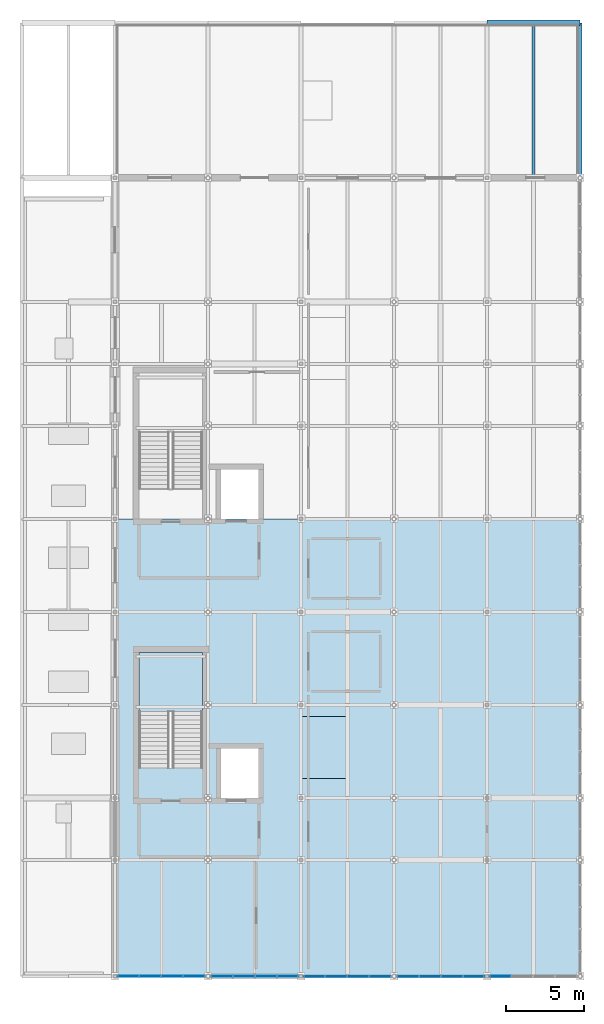
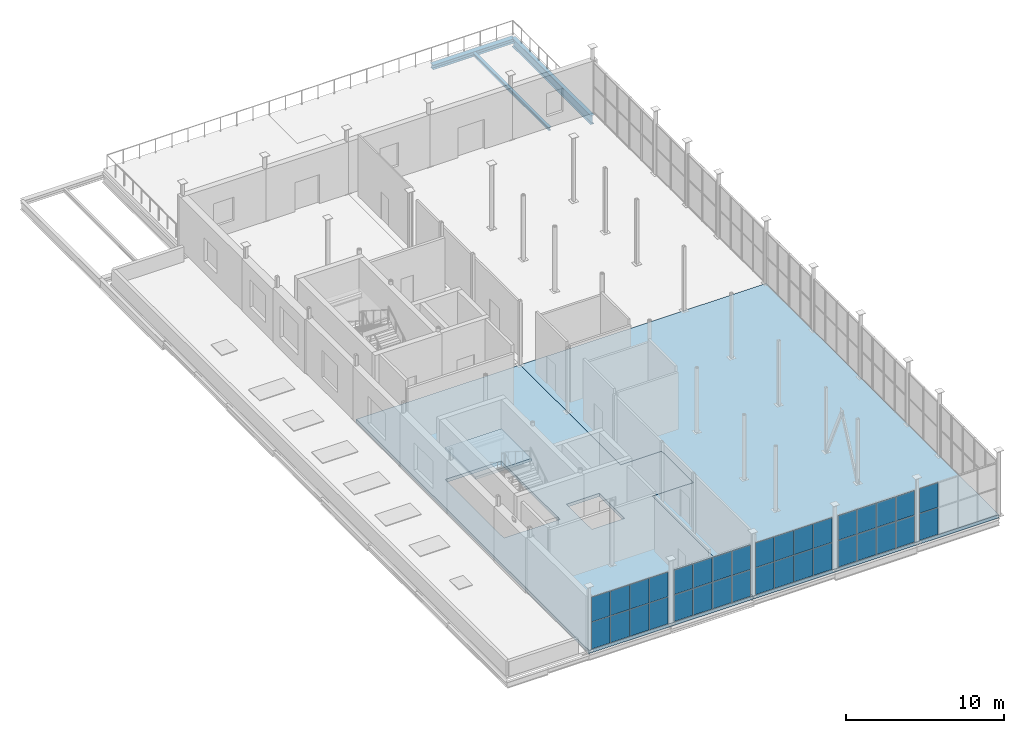
# One storey, part 19 of 27: 34 plates, 3 beams, 3 slabs, 6 elements without a shape of their own.
"""IFC4 building model written with IfcOpenShell, lengths in metres."""

import ifcopenshell
import ifcopenshell.guid

model = None  # the IFC model being written
_history = None  # IfcOwnerHistory: only IFC2X3 demands one
_inside = {}  # id of a spatial element -> (the spatial element, [elements in it])
_under = {}  # id of a project, library or spatial element -> (it, [spatial elements below it])
_declared = {}  # id of a project -> (the project, [libraries it declares])
_typed = {}  # id of a type object -> (the type object, [elements of that type])
_made_of = {}  # id of a material, layer set ... -> (it, [elements and type objects made of it])


def new_model(schema):
    """Start an empty IFC model of exactly this schema.

    Asked for "IFC4X3", IfcOpenShell would pick the latest addendum, in which some entities
    have other attributes; the version numbers below select the first issue.
    IFC2X3 requires an IfcOwnerHistory on every rooted entity: one is made here for all.
    """
    global model, _history
    if schema == "IFC4X3":
        model = ifcopenshell.file(schema_version=(4, 3, 0, 0))
    else:
        model = ifcopenshell.file(schema=schema)
    _inside.clear()
    _under.clear()
    _declared.clear()
    _typed.clear()
    _made_of.clear()
    _history = None
    if model.schema == "IFC2X3":
        org = make("IfcOrganization", Name="unknown")
        user = make(
            "IfcPersonAndOrganization",
            ThePerson=make("IfcPerson", FamilyName="unknown"),
            TheOrganization=org,
        )
        app = make(
            "IfcApplication",
            ApplicationDeveloper=org,
            Version="unknown",
            ApplicationFullName="unknown",
            ApplicationIdentifier="unknown",
        )
        _history = make(
            "IfcOwnerHistory",
            OwningUser=user,
            OwningApplication=app,
            ChangeAction="ADDED",
            CreationDate=0,
        )
    return model


def make(cls, **values):
    """One entity of the class cls with the attributes given. An attribute that is None is left unset."""
    return model.create_entity(
        cls, **{name: value for name, value in values.items() if value is not None}
    )


def rooted(cls, **values):
    """An entity with a GlobalId (a new one), such as an element, a storey or a relation."""
    return make(cls, GlobalId=ifcopenshell.guid.new(), OwnerHistory=_history, **values)


def si_unit(unit_type, name, prefix=None):
    """IfcSIUnit, for example si_unit("LENGTHUNIT", "METRE", prefix="MILLI")."""
    return make("IfcSIUnit", UnitType=unit_type, Prefix=prefix, Name=name)


def assignment(units):
    """IfcUnitAssignment: the units of a project."""
    return None if units is None else make("IfcUnitAssignment", Units=units)


def point(xyz):
    """IfcCartesianPoint."""
    return None if xyz is None else make("IfcCartesianPoint", Coordinates=xyz)


def direction(xyz):
    """IfcDirection."""
    return None if xyz is None else make("IfcDirection", DirectionRatios=xyz)


def frame(location, z_axis=None, x_axis=None):
    """IfcAxis2Placement3D, a coordinate frame: its origin and axes. An axis left out is left unset."""
    return make(
        "IfcAxis2Placement3D",
        Location=point(location),
        Axis=direction(z_axis),
        RefDirection=direction(x_axis),
    )


def frame_2d(location, x_axis=None):
    """IfcAxis2Placement2D, a coordinate frame in the plane: its origin and x axis."""
    return make(
        "IfcAxis2Placement2D", Location=point(location), RefDirection=direction(x_axis)
    )


def origin():
    """The frame at (0, 0, 0) with its axes left unset."""
    return frame((0.0, 0.0, 0.0))


def origin_2d():
    """The frame at (0, 0) in the plane with its x axis left unset."""
    return frame_2d((0.0, 0.0))


def place(relative_to, where):
    """IfcLocalPlacement: puts the frame where relative to a parent placement (None: the world)."""
    return make(
        "IfcLocalPlacement", PlacementRelTo=relative_to, RelativePlacement=where
    )


def context(
    kind, dimensions, precision=None, world=None, true_north=None, identifier=None
):
    """IfcGeometricRepresentationContext, for example the 3D "Model" context."""
    return make(
        "IfcGeometricRepresentationContext",
        ContextIdentifier=identifier,
        ContextType=kind,
        CoordinateSpaceDimension=dimensions,
        Precision=precision,
        WorldCoordinateSystem=world,
        TrueNorth=true_north,
    )


def subcontext(parent, identifier, kind, view, scale=None):
    """IfcGeometricRepresentationSubContext, for example "Body" below "Model"."""
    return make(
        "IfcGeometricRepresentationSubContext",
        ContextIdentifier=identifier,
        ContextType=kind,
        ParentContext=parent,
        TargetScale=scale,
        TargetView=view,
    )


def project(units=None, contexts=None):
    """IfcProject with its units and contexts."""
    return rooted(
        "IfcProject",
        Name="project",
        RepresentationContexts=contexts,
        UnitsInContext=assignment(units),
    )


def spatial(cls, under=None, at=None, **own):
    """A site, building, storey or space (cls), placed at a placement, below another one or the project."""
    s = rooted(cls, ObjectPlacement=at, **own)
    if under is not None:
        _under.setdefault(under.id(), (under, []))[1].append(s)
    return s


def polyline(points):
    """IfcPolyline through the points."""
    return make("IfcPolyline", Points=[point(p) for p in points])


def profile(cls, at=None, kind="AREA", **sizes):
    """A parametric profile (cls). Its sizes go by their IFC names, for example OverallWidth=200.0."""
    return make(cls, ProfileType=kind, Position=at, **sizes)


def rectangle(**sizes):
    """IfcRectangleProfileDef."""
    return profile("IfcRectangleProfileDef", **sizes)


def i_section(**sizes):
    """IfcIShapeProfileDef."""
    return profile("IfcIShapeProfileDef", **sizes)


def outline(outer, holes=None, kind="AREA"):
    """IfcArbitraryClosedProfileDef: a profile drawn as a closed curve; with holes, ...WithVoids."""
    if holes is None:
        return make("IfcArbitraryClosedProfileDef", ProfileType=kind, OuterCurve=outer)
    return make(
        "IfcArbitraryProfileDefWithVoids",
        ProfileType=kind,
        OuterCurve=outer,
        InnerCurves=holes,
    )


def extrude(swept, where, along, depth):
    """IfcExtrudedAreaSolid: the profile swept, set in the frame where, extruded along a direction by depth."""
    return make(
        "IfcExtrudedAreaSolid",
        SweptArea=swept,
        Position=where,
        ExtrudedDirection=direction(along),
        Depth=depth,
    )


def shape(context_of_items, identifier, shape_type, items):
    """IfcShapeRepresentation: the items that make up one representation, for example the "Body"."""
    return make(
        "IfcShapeRepresentation",
        ContextOfItems=context_of_items,
        RepresentationIdentifier=identifier,
        RepresentationType=shape_type,
        Items=items,
    )


def material(Name=None, Category=None):
    """IfcMaterial."""
    return make("IfcMaterial", Name=Name, Category=Category)


def layer(
    of_material, thickness, ventilated=None, Name=None, Category=None, Priority=None
):
    """IfcMaterialLayer: one layer of a wall or slab, of a material (None: an air gap)."""
    return make(
        "IfcMaterialLayer",
        Material=of_material,
        LayerThickness=thickness,
        IsVentilated=ventilated,
        Name=Name,
        Category=Category,
        Priority=Priority,
    )


def layer_set(layers, Name=None):
    """IfcMaterialLayerSet."""
    return make("IfcMaterialLayerSet", MaterialLayers=layers, LayerSetName=Name)


def material_profile(
    of_material, cross_section, Name=None, Category=None, Priority=None
):
    """IfcMaterialProfile: a cross section and its material."""
    return make(
        "IfcMaterialProfile",
        Name=Name,
        Material=of_material,
        Profile=cross_section,
        Priority=Priority,
        Category=Category,
    )


def profile_set(profiles, Name=None, composite=None):
    """IfcMaterialProfileSet."""
    return make(
        "IfcMaterialProfileSet",
        Name=Name,
        MaterialProfiles=profiles,
        CompositeProfile=composite,
    )


def made_of(thing, what):
    """Note that an element or type object is made of a material, layer set ...; save() writes the relation."""
    if what is not None:
        _made_of.setdefault(what.id(), (what, []))[1].append(thing)
    return thing


def type_object(cls, material=None, **own):
    """A type object (cls), such as IfcWallType, which elements share."""
    return made_of(rooted(cls, **own), material)


def element(
    cls,
    number,
    at=None,
    inside=None,
    cuts=None,
    type_object=None,
    material=None,
    context=None,
    identifier="Body",
    shape_type=None,
    held_by="IfcProductDefinitionShape",
    body=None,
    shapes=None,
    **own,
):
    """One element of the class cls, such as IfcWall. Its Tag is "e" and its number.

    at: its placement. inside: the storey or other place that contains it. cuts: it is an
    opening in that element (IfcRelVoidsElement). A single representation is given by context,
    identifier, shape_type and body (its items); several are given by shapes. held_by: the class
    of the entity that holds the representations. save() writes the other relations.
    """
    e = rooted(cls, Tag="e%d" % number, ObjectPlacement=at, **own)
    if body is not None:
        shapes = [shape(context, identifier, shape_type, body)]
    if shapes is not None:
        e.Representation = make(held_by, Representations=shapes)
    if inside is not None:
        _inside.setdefault(inside.id(), (inside, []))[1].append(e)
    if cuts is not None:
        rooted(
            "IfcRelVoidsElement", RelatingBuildingElement=cuts, RelatedOpeningElement=e
        )
    if type_object is not None:
        _typed.setdefault(type_object.id(), (type_object, []))[1].append(e)
    return made_of(e, material)


def aggregate(whole, parts):
    """IfcRelAggregates: a whole, such as a stair, and the parts it consists of."""
    return rooted("IfcRelAggregates", RelatingObject=whole, RelatedObjects=parts)


def save(model, path):
    """Write the relations noted so far, then the file.

    IfcRelAggregates (storeys below a building ...), IfcRelContainedInSpatialStructure (elements
    in a storey), IfcRelDefinesByType, IfcRelAssociatesMaterial and IfcRelDeclares: one each for
    every whole, place, type object, material and project.
    """
    for whole, parts in _under.values():
        aggregate(whole, parts)
    for where, things in _inside.values():
        rooted(
            "IfcRelContainedInSpatialStructure",
            RelatedElements=things,
            RelatingStructure=where,
        )
    for kind, things in _typed.values():
        rooted("IfcRelDefinesByType", RelatedObjects=things, RelatingType=kind)
    for what, things in _made_of.values():
        rooted("IfcRelAssociatesMaterial", RelatedObjects=things, RelatingMaterial=what)
    for by, libraries in _declared.values():
        rooted("IfcRelDeclares", RelatingContext=by, RelatedDefinitions=libraries)
    model.write(path)


model = new_model("IFC4")

# Units and contexts
model_context = context("Model", 3, precision=1e-05, world=origin(), true_north=direction((0.0, 1.0)))
body_context = subcontext(model_context, "Body", "Model", "MODEL_VIEW")
ifc_project = project(units=[si_unit("LENGTHUNIT", "METRE"), si_unit("AREAUNIT", "SQUARE_METRE"), si_unit("VOLUMEUNIT", "CUBIC_METRE"), si_unit("PLANEANGLEUNIT", "RADIAN"), si_unit("MASSUNIT", "GRAM", prefix="KILO")], contexts=[model_context])

# Site, building, storey
site_placement = place(None, origin())
site = spatial("IfcSite", under=ifc_project, at=site_placement, CompositionType="ELEMENT")
building_placement = place(site_placement, origin())
building = spatial("IfcBuilding", under=site, at=building_placement, Name="Verrall Gate Interchange", CompositionType="ELEMENT")
storey_placement = place(building_placement, frame((0.0, 0.0, 23.60009765625)))
storey = spatial("IfcBuildingStorey", under=building, at=storey_placement, Name="L06", CompositionType="ELEMENT", Elevation=23.60009765625)

# Beams
ifc_material_1 = material(Name="Structural Steel CSA G40.21 350WT Cat 4", Category="steel")
ifc_material_profile_1 = material_profile(ifc_material_1, i_section(OverallWidth=0.256103515625, OverallDepth=0.693115234375, WebThickness=0.01318359375, FlangeThickness=0.02001953125, FilletRadius=0.01611328125, at=origin_2d()), Name="W690x170")
ifc_profile_set_1 = profile_set([ifc_material_profile_1], Name="Structural Steel CSA G40.21 350WT Cat 4")
beam_type_1 = type_object("IfcBeamType", Name="B-07 Structural Beam W690x170", PredefinedType="BEAM", material=ifc_profile_set_1)
beam_1_placement = place(storey_placement, frame((36.0, 56.0, -0.676513671875), z_axis=(0.0, 1.0, 0.0), x_axis=(-1.0, 0.0, 0.0)))
element("IfcBeam", 1, at=beam_1_placement, inside=storey, type_object=beam_type_1, Name="L06 Girder BM-L06-3183 (B-07)", PredefinedType="BEAM", context=body_context, shape_type="SweptSolid", body=[
    extrude(i_section(OverallWidth=0.256103515625, OverallDepth=0.693115234375, WebThickness=0.01318359375, FlangeThickness=0.02001953125, FilletRadius=0.01611328125, at=origin_2d()), origin(), (0.0, 0.0, 1.0), 10.0),
])
ifc_material_2 = material(Name="Structural Steel CSA G40.21 350W", Category="steel")
ifc_material_profile_2 = material_profile(ifc_material_2, i_section(OverallWidth=0.368896484375, OverallDepth=0.35595703125, WebThickness=0.01123046875, FlangeThickness=0.01806640625, FilletRadius=0.014892578125, at=origin_2d()), Name="W360x134")
ifc_profile_set_2 = profile_set([ifc_material_profile_2], Name="Structural Steel CSA G40.21 350W")
beam_type_2 = type_object("IfcBeamType", Name="B-13 Structural Beam W360x134", PredefinedType="BEAM", material=ifc_profile_set_2)
beam_2_placement = place(storey_placement, frame((30.0, 66.0, -0.508056640625), z_axis=(1.0, 0.0, 0.0), x_axis=(0.0, 1.0, 0.0)))
element("IfcBeam", 2, at=beam_2_placement, inside=storey, type_object=beam_type_2, Name="L06 Girder BM-L06-3112 (B-13)", PredefinedType="BEAM", context=body_context, shape_type="SweptSolid", body=[
    extrude(i_section(OverallWidth=0.368896484375, OverallDepth=0.35595703125, WebThickness=0.01123046875, FlangeThickness=0.01806640625, FilletRadius=0.014892578125, at=origin_2d()), origin(), (0.0, 0.0, 1.0), 6.0),
])
ifc_material_3 = material(Name="Structural Steel CSA G40.21 350W", Category="steel")
ifc_material_profile_3 = material_profile(ifc_material_3, i_section(OverallWidth=0.201904296875, OverallDepth=0.2470703125, WebThickness=0.00732421875, FlangeThickness=0.010986328125, FilletRadius=0.010986328125, at=origin_2d()), Name="W250x49")
ifc_profile_set_3 = profile_set([ifc_material_profile_3], Name="Structural Steel CSA G40.21 350W")
beam_type_3 = type_object("IfcBeamType", Name="J-06 Floor Joist W250x49", PredefinedType="JOIST", material=ifc_profile_set_3)
beam_3_placement = place(storey_placement, frame((33.0, 56.1845703125, -0.45361328125), z_axis=(0.0, 1.0, 0.0), x_axis=(-1.0, 0.0, 0.0)))
element("IfcBeam", 3, at=beam_3_placement, inside=storey, type_object=beam_type_3, Name="L06 Secondary Floor Joist JST-L06-3221", PredefinedType="JOIST", context=body_context, shape_type="SweptSolid", body=[
    extrude(i_section(OverallWidth=0.201904296875, OverallDepth=0.2470703125, WebThickness=0.00732421875, FlangeThickness=0.010986328125, FilletRadius=0.010986328125, at=origin_2d()), origin(), (0.0, 0.0, 1.0), 9.630859375),
])

# Curtain wall, plates
ifc_material_4 = material(Name="Thermally Broken Anodized Aluminium Curtain Wall Framing", Category="aluminium")
curtain_wall_type = type_object("IfcCurtainWallType", Name="CW-45 Unitized Curtain Wall 5698x4100", PredefinedType="NOTDEFINED", material=ifc_material_4)
curtain_wall_1_placement = place(storey_placement, origin())
curtain_wall_1 = element("IfcCurtainWall", 4, at=curtain_wall_1_placement, inside=storey, type_object=curtain_wall_type, Name="L06 Unitized Curtain Wall CW-L06-140", PredefinedType="NOTDEFINED")
ifc_material_5 = material(Name="Triple-Glazed Low-E Argon Insulated Curtain Panel (U=1.45)", Category="glass")
ifc_layer_1 = layer(ifc_material_5, 0.030029296875)
ifc_layer_set_1 = layer_set([ifc_layer_1], Name="Triple-Glazed Low-E Argon Insulated Curtain Panel (U=1.45)")
plate_type_1 = type_object("IfcPlateType", Name="CP-01 Curtain Glazing Panel 30", PredefinedType="CURTAIN_PANEL", material=ifc_layer_set_1)
plate_1_placement = place(storey_placement, frame((18.862060546875, 4.5, 0.05419921875), z_axis=(0.0, 0.0, 1.0), x_axis=(1.0, 0.0, 0.0)))
plate_1 = element("IfcPlate", 5, at=plate_1_placement, type_object=plate_type_1, Name="CW-L06-140 Glazing Panel 1.1", PredefinedType="CURTAIN_PANEL", context=body_context, shape_type="SweptSolid", body=[
    extrude(rectangle(XDim=1.347900390625, YDim=0.030029296875, at=origin_2d()), origin(), (0.0, 0.0, 1.0), 2.055419921875),
])
plate_2_placement = place(storey_placement, frame((18.862060546875, 4.5, 2.15380859375), z_axis=(0.0, 0.0, 1.0), x_axis=(1.0, 0.0, 0.0)))
plate_2 = element("IfcPlate", 6, at=plate_2_placement, type_object=plate_type_1, Name="CW-L06-140 Glazing Panel 1.2", PredefinedType="CURTAIN_PANEL", context=body_context, shape_type="SweptSolid", body=[
    extrude(rectangle(XDim=1.347900390625, YDim=0.030029296875, at=origin_2d()), origin(), (0.0, 0.0, 1.0), 1.891357421875),
])
plate_3_placement = place(storey_placement, frame((20.270263671875, 4.5, 0.05419921875), z_axis=(0.0, 0.0, 1.0), x_axis=(1.0, 0.0, 0.0)))
plate_3 = element("IfcPlate", 7, at=plate_3_placement, type_object=plate_type_1, Name="CW-L06-140 Glazing Panel 2.1", PredefinedType="CURTAIN_PANEL", context=body_context, shape_type="SweptSolid", body=[
    extrude(rectangle(XDim=1.380126953125, YDim=0.030029296875, at=origin_2d()), origin(), (0.0, 0.0, 1.0), 2.055419921875),
])
plate_4_placement = place(storey_placement, frame((20.270263671875, 4.5, 2.15380859375), z_axis=(0.0, 0.0, 1.0), x_axis=(1.0, 0.0, 0.0)))
plate_4 = element("IfcPlate", 8, at=plate_4_placement, type_object=plate_type_1, Name="CW-L06-140 Glazing Panel 2.2", PredefinedType="CURTAIN_PANEL", context=body_context, shape_type="SweptSolid", body=[
    extrude(rectangle(XDim=1.380126953125, YDim=0.030029296875, at=origin_2d()), origin(), (0.0, 0.0, 1.0), 1.891357421875),
])
plate_5_placement = place(storey_placement, frame((21.694580078125, 4.5, 0.05419921875), z_axis=(0.0, 0.0, 1.0), x_axis=(1.0, 0.0, 0.0)))
plate_5 = element("IfcPlate", 9, at=plate_5_placement, type_object=plate_type_1, Name="CW-L06-140 Glazing Panel 3.1", PredefinedType="CURTAIN_PANEL", context=body_context, shape_type="SweptSolid", body=[
    extrude(rectangle(XDim=1.38037109375, YDim=0.030029296875, at=origin_2d()), origin(), (0.0, 0.0, 1.0), 2.055419921875),
])
plate_6_placement = place(storey_placement, frame((21.694580078125, 4.5, 2.15380859375), z_axis=(0.0, 0.0, 1.0), x_axis=(1.0, 0.0, 0.0)))
plate_6 = element("IfcPlate", 10, at=plate_6_placement, type_object=plate_type_1, Name="CW-L06-140 Glazing Panel 3.2", PredefinedType="CURTAIN_PANEL", context=body_context, shape_type="SweptSolid", body=[
    extrude(rectangle(XDim=1.38037109375, YDim=0.030029296875, at=origin_2d()), origin(), (0.0, 0.0, 1.0), 1.891357421875),
])
plate_7_placement = place(storey_placement, frame((23.102783203125, 4.5, 0.05419921875), z_axis=(0.0, 0.0, 1.0), x_axis=(1.0, 0.0, 0.0)))
plate_7 = element("IfcPlate", 11, at=plate_7_placement, type_object=plate_type_1, Name="CW-L06-140 Glazing Panel 4.1", PredefinedType="CURTAIN_PANEL", context=body_context, shape_type="SweptSolid", body=[
    extrude(rectangle(XDim=1.347900390625, YDim=0.030029296875, at=origin_2d()), origin(), (0.0, 0.0, 1.0), 2.055419921875),
])
plate_8_placement = place(storey_placement, frame((23.102783203125, 4.5, 2.15380859375), z_axis=(0.0, 0.0, 1.0), x_axis=(1.0, 0.0, 0.0)))
plate_8 = element("IfcPlate", 12, at=plate_8_placement, type_object=plate_type_1, Name="CW-L06-140 Glazing Panel 4.2", PredefinedType="CURTAIN_PANEL", context=body_context, shape_type="SweptSolid", body=[
    extrude(rectangle(XDim=1.347900390625, YDim=0.030029296875, at=origin_2d()), origin(), (0.0, 0.0, 1.0), 1.891357421875),
])
aggregate(curtain_wall_1, [plate_1, plate_2, plate_3, plate_4, plate_5, plate_6, plate_7, plate_8])

curtain_wall_2_placement = place(storey_placement, origin())
curtain_wall_2 = element("IfcCurtainWall", 13, at=curtain_wall_2_placement, inside=storey, type_object=curtain_wall_type, Name="L06 Unitized Curtain Wall CW-L06-141", PredefinedType="NOTDEFINED")
plate_9_placement = place(storey_placement, frame((24.899658203125, 4.5, 0.06298828125), z_axis=(0.0, 0.0, 1.0), x_axis=(1.0, 0.0, 0.0)))
plate_9 = element("IfcPlate", 14, at=plate_9_placement, type_object=plate_type_1, Name="CW-L06-141 Glazing Panel 1.1", PredefinedType="CURTAIN_PANEL", context=body_context, shape_type="SweptSolid", body=[
    extrude(rectangle(XDim=1.3359375, YDim=0.030029296875, at=origin_2d()), origin(), (0.0, 0.0, 1.0), 2.04345703125),
])
plate_10_placement = place(storey_placement, frame((24.899658203125, 4.5, 2.157470703125), z_axis=(0.0, 0.0, 1.0), x_axis=(1.0, 0.0, 0.0)))
plate_10 = element("IfcPlate", 15, at=plate_10_placement, type_object=plate_type_1, Name="CW-L06-141 Glazing Panel 1.2", PredefinedType="CURTAIN_PANEL", context=body_context, shape_type="SweptSolid", body=[
    extrude(rectangle(XDim=1.3359375, YDim=0.030029296875, at=origin_2d()), origin(), (0.0, 0.0, 1.0), 1.87939453125),
])
plate_11_placement = place(storey_placement, frame((26.305419921875, 4.5, 0.06298828125), z_axis=(0.0, 0.0, 1.0), x_axis=(1.0, 0.0, 0.0)))
plate_11 = element("IfcPlate", 16, at=plate_11_placement, type_object=plate_type_1, Name="CW-L06-141 Glazing Panel 2.1", PredefinedType="CURTAIN_PANEL", context=body_context, shape_type="SweptSolid", body=[
    extrude(rectangle(XDim=1.373291015625, YDim=0.030029296875, at=origin_2d()), origin(), (0.0, 0.0, 1.0), 2.04345703125),
])
plate_12_placement = place(storey_placement, frame((26.305419921875, 4.5, 2.157470703125), z_axis=(0.0, 0.0, 1.0), x_axis=(1.0, 0.0, 0.0)))
plate_12 = element("IfcPlate", 17, at=plate_12_placement, type_object=plate_type_1, Name="CW-L06-141 Glazing Panel 2.2", PredefinedType="CURTAIN_PANEL", context=body_context, shape_type="SweptSolid", body=[
    extrude(rectangle(XDim=1.373291015625, YDim=0.030029296875, at=origin_2d()), origin(), (0.0, 0.0, 1.0), 1.87939453125),
])
plate_13_placement = place(storey_placement, frame((27.729736328125, 4.5, 0.06298828125), z_axis=(0.0, 0.0, 1.0), x_axis=(1.0, 0.0, 0.0)))
plate_13 = element("IfcPlate", 18, at=plate_13_placement, type_object=plate_type_1, Name="CW-L06-141 Glazing Panel 3.1", PredefinedType="CURTAIN_PANEL", context=body_context, shape_type="SweptSolid", body=[
    extrude(rectangle(XDim=1.37353515625, YDim=0.030029296875, at=origin_2d()), origin(), (0.0, 0.0, 1.0), 2.04345703125),
])
plate_14_placement = place(storey_placement, frame((27.729736328125, 4.5, 2.157470703125), z_axis=(0.0, 0.0, 1.0), x_axis=(1.0, 0.0, 0.0)))
plate_14 = element("IfcPlate", 19, at=plate_14_placement, type_object=plate_type_1, Name="CW-L06-141 Glazing Panel 3.2", PredefinedType="CURTAIN_PANEL", context=body_context, shape_type="SweptSolid", body=[
    extrude(rectangle(XDim=1.37353515625, YDim=0.030029296875, at=origin_2d()), origin(), (0.0, 0.0, 1.0), 1.87939453125),
])
plate_15_placement = place(storey_placement, frame((29.135498046875, 4.5, 0.06298828125), z_axis=(0.0, 0.0, 1.0), x_axis=(1.0, 0.0, 0.0)))
plate_15 = element("IfcPlate", 20, at=plate_15_placement, type_object=plate_type_1, Name="CW-L06-141 Glazing Panel 4.1", PredefinedType="CURTAIN_PANEL", context=body_context, shape_type="SweptSolid", body=[
    extrude(rectangle(XDim=1.3359375, YDim=0.030029296875, at=origin_2d()), origin(), (0.0, 0.0, 1.0), 2.04345703125),
])
plate_16_placement = place(storey_placement, frame((29.135498046875, 4.5, 2.157470703125), z_axis=(0.0, 0.0, 1.0), x_axis=(1.0, 0.0, 0.0)))
plate_16 = element("IfcPlate", 21, at=plate_16_placement, type_object=plate_type_1, Name="CW-L06-141 Glazing Panel 4.2", PredefinedType="CURTAIN_PANEL", context=body_context, shape_type="SweptSolid", body=[
    extrude(rectangle(XDim=1.3359375, YDim=0.030029296875, at=origin_2d()), origin(), (0.0, 0.0, 1.0), 1.87939453125),
])
aggregate(curtain_wall_2, [plate_9, plate_10, plate_11, plate_12, plate_13, plate_14, plate_15, plate_16])

curtain_wall_3_placement = place(storey_placement, origin())
curtain_wall_3 = element("IfcCurtainWall", 22, at=curtain_wall_3_placement, inside=storey, type_object=curtain_wall_type, Name="L06 Unitized Curtain Wall CW-L06-138", PredefinedType="NOTDEFINED")
ifc_material_6 = material(Name="Triple-Glazed Low-E Argon Insulated Curtain Panel (U=1.45)", Category="glass")
ifc_layer_2 = layer(ifc_material_6, 0.0400390625)
ifc_layer_set_2 = layer_set([ifc_layer_2], Name="Triple-Glazed Low-E Argon Insulated Curtain Panel (U=1.45)")
plate_type_2 = type_object("IfcPlateType", Name="CP-02 Curtain Glazing Panel 40", PredefinedType="CURTAIN_PANEL", material=ifc_layer_set_2)
plate_17_placement = place(storey_placement, frame((6.862060546875, 4.5, 0.05419921875), z_axis=(0.0, 0.0, 1.0), x_axis=(1.0, 0.0, 0.0)))
plate_17 = element("IfcPlate", 23, at=plate_17_placement, type_object=plate_type_2, Name="CW-L06-138 Glazing Panel 1.1", PredefinedType="CURTAIN_PANEL", context=body_context, shape_type="SweptSolid", body=[
    extrude(rectangle(XDim=1.347900390625, YDim=0.0400390625, at=origin_2d()), origin(), (0.0, 0.0, 1.0), 2.055419921875),
])
plate_18_placement = place(storey_placement, frame((6.862060546875, 4.5, 2.15380859375), z_axis=(0.0, 0.0, 1.0), x_axis=(1.0, 0.0, 0.0)))
plate_18 = element("IfcPlate", 24, at=plate_18_placement, type_object=plate_type_2, Name="CW-L06-138 Glazing Panel 1.2", PredefinedType="CURTAIN_PANEL", context=body_context, shape_type="SweptSolid", body=[
    extrude(rectangle(XDim=1.347900390625, YDim=0.0400390625, at=origin_2d()), origin(), (0.0, 0.0, 1.0), 1.891357421875),
])
plate_19_placement = place(storey_placement, frame((8.270263671875, 4.5, 0.05419921875), z_axis=(0.0, 0.0, 1.0), x_axis=(1.0, 0.0, 0.0)))
plate_19 = element("IfcPlate", 25, at=plate_19_placement, type_object=plate_type_2, Name="CW-L06-138 Glazing Panel 2.1", PredefinedType="CURTAIN_PANEL", context=body_context, shape_type="SweptSolid", body=[
    extrude(rectangle(XDim=1.380126953125, YDim=0.0400390625, at=origin_2d()), origin(), (0.0, 0.0, 1.0), 2.055419921875),
])
plate_20_placement = place(storey_placement, frame((8.270263671875, 4.5, 2.15380859375), z_axis=(0.0, 0.0, 1.0), x_axis=(1.0, 0.0, 0.0)))
plate_20 = element("IfcPlate", 26, at=plate_20_placement, type_object=plate_type_2, Name="CW-L06-138 Glazing Panel 2.2", PredefinedType="CURTAIN_PANEL", context=body_context, shape_type="SweptSolid", body=[
    extrude(rectangle(XDim=1.380126953125, YDim=0.0400390625, at=origin_2d()), origin(), (0.0, 0.0, 1.0), 1.891357421875),
])
plate_21_placement = place(storey_placement, frame((9.694580078125, 4.5, 0.05419921875), z_axis=(0.0, 0.0, 1.0), x_axis=(1.0, 0.0, 0.0)))
plate_21 = element("IfcPlate", 27, at=plate_21_placement, type_object=plate_type_2, Name="CW-L06-138 Glazing Panel 3.1", PredefinedType="CURTAIN_PANEL", context=body_context, shape_type="SweptSolid", body=[
    extrude(rectangle(XDim=1.38037109375, YDim=0.0400390625, at=origin_2d()), origin(), (0.0, 0.0, 1.0), 2.055419921875),
])
plate_22_placement = place(storey_placement, frame((9.694580078125, 4.5, 2.15380859375), z_axis=(0.0, 0.0, 1.0), x_axis=(1.0, 0.0, 0.0)))
plate_22 = element("IfcPlate", 28, at=plate_22_placement, type_object=plate_type_2, Name="CW-L06-138 Glazing Panel 3.2", PredefinedType="CURTAIN_PANEL", context=body_context, shape_type="SweptSolid", body=[
    extrude(rectangle(XDim=1.38037109375, YDim=0.0400390625, at=origin_2d()), origin(), (0.0, 0.0, 1.0), 1.891357421875),
])
plate_23_placement = place(storey_placement, frame((11.102783203125, 4.5, 0.05419921875), z_axis=(0.0, 0.0, 1.0), x_axis=(1.0, 0.0, 0.0)))
plate_23 = element("IfcPlate", 29, at=plate_23_placement, type_object=plate_type_2, Name="CW-L06-138 Glazing Panel 4.1", PredefinedType="CURTAIN_PANEL", context=body_context, shape_type="SweptSolid", body=[
    extrude(rectangle(XDim=1.347900390625, YDim=0.0400390625, at=origin_2d()), origin(), (0.0, 0.0, 1.0), 2.055419921875),
])
plate_24_placement = place(storey_placement, frame((11.102783203125, 4.5, 2.15380859375), z_axis=(0.0, 0.0, 1.0), x_axis=(1.0, 0.0, 0.0)))
plate_24 = element("IfcPlate", 30, at=plate_24_placement, type_object=plate_type_2, Name="CW-L06-138 Glazing Panel 4.2", PredefinedType="CURTAIN_PANEL", context=body_context, shape_type="SweptSolid", body=[
    extrude(rectangle(XDim=1.347900390625, YDim=0.0400390625, at=origin_2d()), origin(), (0.0, 0.0, 1.0), 1.891357421875),
])
aggregate(curtain_wall_3, [plate_17, plate_18, plate_19, plate_20, plate_21, plate_22, plate_23, plate_24])

curtain_wall_4_placement = place(storey_placement, origin())
curtain_wall_4 = element("IfcCurtainWall", 31, at=curtain_wall_4_placement, inside=storey, type_object=curtain_wall_type, Name="L06 Unitized Curtain Wall CW-L06-139", PredefinedType="NOTDEFINED")
plate_25_placement = place(storey_placement, frame((12.899658203125, 4.5, 0.06298828125), z_axis=(0.0, 0.0, 1.0), x_axis=(1.0, 0.0, 0.0)))
plate_25 = element("IfcPlate", 32, at=plate_25_placement, type_object=plate_type_2, Name="CW-L06-139 Glazing Panel 1.1", PredefinedType="CURTAIN_PANEL", context=body_context, shape_type="SweptSolid", body=[
    extrude(rectangle(XDim=1.3359375, YDim=0.0400390625, at=origin_2d()), origin(), (0.0, 0.0, 1.0), 2.04345703125),
])
plate_26_placement = place(storey_placement, frame((12.899658203125, 4.5, 2.157470703125), z_axis=(0.0, 0.0, 1.0), x_axis=(1.0, 0.0, 0.0)))
plate_26 = element("IfcPlate", 33, at=plate_26_placement, type_object=plate_type_2, Name="CW-L06-139 Glazing Panel 1.2", PredefinedType="CURTAIN_PANEL", context=body_context, shape_type="SweptSolid", body=[
    extrude(rectangle(XDim=1.3359375, YDim=0.0400390625, at=origin_2d()), origin(), (0.0, 0.0, 1.0), 1.87939453125),
])
plate_27_placement = place(storey_placement, frame((14.305419921875, 4.5, 0.06298828125), z_axis=(0.0, 0.0, 1.0), x_axis=(1.0, 0.0, 0.0)))
plate_27 = element("IfcPlate", 34, at=plate_27_placement, type_object=plate_type_2, Name="CW-L06-139 Glazing Panel 2.1", PredefinedType="CURTAIN_PANEL", context=body_context, shape_type="SweptSolid", body=[
    extrude(rectangle(XDim=1.373291015625, YDim=0.0400390625, at=origin_2d()), origin(), (0.0, 0.0, 1.0), 2.04345703125),
])
plate_28_placement = place(storey_placement, frame((14.305419921875, 4.5, 2.157470703125), z_axis=(0.0, 0.0, 1.0), x_axis=(1.0, 0.0, 0.0)))
plate_28 = element("IfcPlate", 35, at=plate_28_placement, type_object=plate_type_2, Name="CW-L06-139 Glazing Panel 2.2", PredefinedType="CURTAIN_PANEL", context=body_context, shape_type="SweptSolid", body=[
    extrude(rectangle(XDim=1.373291015625, YDim=0.0400390625, at=origin_2d()), origin(), (0.0, 0.0, 1.0), 1.87939453125),
])
plate_29_placement = place(storey_placement, frame((15.729736328125, 4.5, 0.06298828125), z_axis=(0.0, 0.0, 1.0), x_axis=(1.0, 0.0, 0.0)))
plate_29 = element("IfcPlate", 36, at=plate_29_placement, type_object=plate_type_2, Name="CW-L06-139 Glazing Panel 3.1", PredefinedType="CURTAIN_PANEL", context=body_context, shape_type="SweptSolid", body=[
    extrude(rectangle(XDim=1.37353515625, YDim=0.0400390625, at=origin_2d()), origin(), (0.0, 0.0, 1.0), 2.04345703125),
])
plate_30_placement = place(storey_placement, frame((15.729736328125, 4.5, 2.157470703125), z_axis=(0.0, 0.0, 1.0), x_axis=(1.0, 0.0, 0.0)))
plate_30 = element("IfcPlate", 37, at=plate_30_placement, type_object=plate_type_2, Name="CW-L06-139 Glazing Panel 3.2", PredefinedType="CURTAIN_PANEL", context=body_context, shape_type="SweptSolid", body=[
    extrude(rectangle(XDim=1.37353515625, YDim=0.0400390625, at=origin_2d()), origin(), (0.0, 0.0, 1.0), 1.87939453125),
])
plate_31_placement = place(storey_placement, frame((17.135498046875, 4.5, 0.06298828125), z_axis=(0.0, 0.0, 1.0), x_axis=(1.0, 0.0, 0.0)))
plate_31 = element("IfcPlate", 38, at=plate_31_placement, type_object=plate_type_2, Name="CW-L06-139 Glazing Panel 4.1", PredefinedType="CURTAIN_PANEL", context=body_context, shape_type="SweptSolid", body=[
    extrude(rectangle(XDim=1.3359375, YDim=0.0400390625, at=origin_2d()), origin(), (0.0, 0.0, 1.0), 2.04345703125),
])
plate_32_placement = place(storey_placement, frame((17.135498046875, 4.5, 2.157470703125), z_axis=(0.0, 0.0, 1.0), x_axis=(1.0, 0.0, 0.0)))
plate_32 = element("IfcPlate", 39, at=plate_32_placement, type_object=plate_type_2, Name="CW-L06-139 Glazing Panel 4.2", PredefinedType="CURTAIN_PANEL", context=body_context, shape_type="SweptSolid", body=[
    extrude(rectangle(XDim=1.3359375, YDim=0.0400390625, at=origin_2d()), origin(), (0.0, 0.0, 1.0), 1.87939453125),
])
aggregate(curtain_wall_4, [plate_25, plate_26, plate_27, plate_28, plate_29, plate_30, plate_31, plate_32])

curtain_wall_5_placement = place(storey_placement, origin())
curtain_wall_5 = element("IfcCurtainWall", 40, at=curtain_wall_5_placement, inside=storey, type_object=curtain_wall_type, Name="L06 Unitized Curtain Wall CW-L06-142", PredefinedType="NOTDEFINED")
plate_33_placement = place(storey_placement, frame((30.862060546875, 4.5, 0.05419921875), z_axis=(0.0, 0.0, 1.0), x_axis=(1.0, 0.0, 0.0)))
plate_33 = element("IfcPlate", 41, at=plate_33_placement, type_object=plate_type_2, Name="CW-L06-142 Glazing Panel 1.1", PredefinedType="CURTAIN_PANEL", context=body_context, shape_type="SweptSolid", body=[
    extrude(rectangle(XDim=1.347900390625, YDim=0.0400390625, at=origin_2d()), origin(), (0.0, 0.0, 1.0), 2.055419921875),
])
plate_34_placement = place(storey_placement, frame((30.862060546875, 4.5, 2.15380859375), z_axis=(0.0, 0.0, 1.0), x_axis=(1.0, 0.0, 0.0)))
plate_34 = element("IfcPlate", 42, at=plate_34_placement, type_object=plate_type_2, Name="CW-L06-142 Glazing Panel 1.2", PredefinedType="CURTAIN_PANEL", context=body_context, shape_type="SweptSolid", body=[
    extrude(rectangle(XDim=1.347900390625, YDim=0.0400390625, at=origin_2d()), origin(), (0.0, 0.0, 1.0), 1.891357421875),
])
aggregate(curtain_wall_5, [plate_33, plate_34])

# Slabs
ifc_material_7 = material(Name="Concrete CSA A23.1 40 MPa (Class N)", Category="concrete")
ifc_layer_3 = layer(ifc_material_7, 0.25)
ifc_layer_set_3 = layer_set([ifc_layer_3], Name="Concrete CSA A23.1 40 MPa (Class N)")
slab_type_1 = type_object("IfcSlabType", Name="FS-11 Floor Slab 250", PredefinedType="FLOOR", material=ifc_layer_set_3)
slab_1_placement = place(storey_placement, frame((0.0, 0.0, -0.25)))
element("IfcSlab", 43, at=slab_1_placement, inside=storey, type_object=slab_type_1, Name="L06 Structural Slab SLB-L06-01", PredefinedType="FLOOR", context=body_context, shape_type="SweptSolid", body=[
    extrude(outline(polyline([(6.0, 4.5), (6.0, 34.0), (12.85009765625, 34.0), (15.25, 34.0), (18.0, 34.0), (18.0, 21.25), (21.0, 21.25), (21.0, 17.25), (18.0, 17.25), (18.0, 4.5), (6.0, 4.5)]), holes=[polyline([(12.85009765625, 16.0), (15.25, 16.0), (15.25, 19.199951171875), (12.85009765625, 19.199951171875), (12.85009765625, 16.0)]), polyline([(7.550048828125, 17.949951171875), (11.64990234375, 17.949951171875), (11.64990234375, 25.39990234375), (7.550048828125, 25.39990234375), (7.550048828125, 17.949951171875)])]), origin(), (0.0, 0.0, 1.0), 0.25),
])
slab_2_placement = place(storey_placement, frame((0.0, 0.0, -0.25)))
element("IfcSlab", 44, at=slab_2_placement, inside=storey, type_object=slab_type_1, Name="L06 Structural Slab SLB-L06-02", PredefinedType="FLOOR", context=body_context, shape_type="SweptSolid", body=[
    extrude(outline(polyline([(36.0, 4.5), (18.0, 4.5), (18.0, 17.25), (21.0, 17.25), (21.0, 21.25), (18.0, 21.25), (18.0, 34.0), (36.0, 34.0), (36.0, 4.5)])), origin(), (0.0, 0.0, 1.0), 0.25),
])

# Stair, slab
ifc_material_8 = material(Name="Concrete CSA A23.1 40 MPa (Class N)", Category="concrete")
stair_type = type_object("IfcStairType", Name="ST-T06 Straight-Flight Return Exit Stair W1950 H5000", PredefinedType="STRAIGHT_RUN_STAIR", material=ifc_material_8)
stair_placement = place(storey_placement, origin())
stair = element("IfcStair", 45, at=stair_placement, inside=storey, type_object=stair_type, Name="L06 ST-01", PredefinedType="STRAIGHT_RUN_STAIR")
ifc_material_9 = material(Name="Concrete CSA A23.1 40 MPa (Class N)", Category="concrete")
ifc_layer_4 = layer(ifc_material_9, 0.18994140625)
ifc_layer_set_4 = layer_set([ifc_layer_4], Name="Concrete CSA A23.1 40 MPa (Class N)")
slab_type_2 = type_object("IfcSlabType", Name="LS-01 Stair Landing Slab 190", PredefinedType="LANDING", material=ifc_layer_set_4)
slab_3_placement = place(storey_placement, frame((0.0, 0.0, 2.2998046875)))
slab_3 = element("IfcSlab", 46, at=slab_3_placement, type_object=slab_type_2, Name="ST-01 landing 1", PredefinedType="LANDING", context=body_context, shape_type="SweptSolid", body=[
    extrude(outline(polyline([(11.64990234375, 21.590087890625), (11.64990234375, 25.39990234375), (7.550048828125, 25.39990234375), (7.550048828125, 21.590087890625), (11.64990234375, 21.590087890625)])), origin(), (0.0, 0.0, 1.0), 0.2001953125),
])
aggregate(stair, [slab_3])

save(model, "model.ifc")
